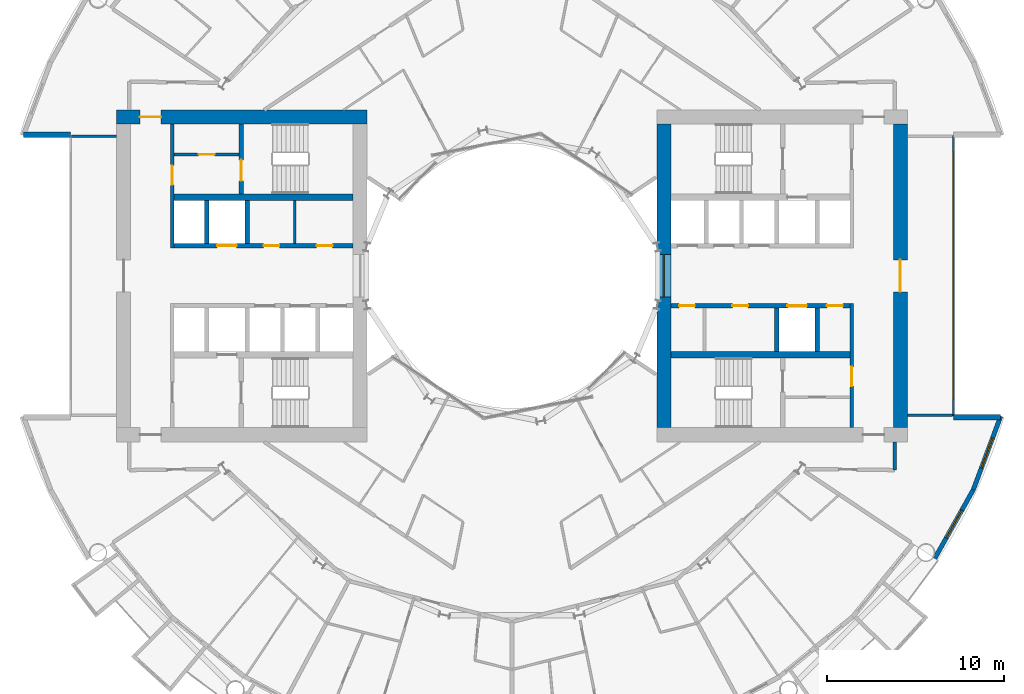
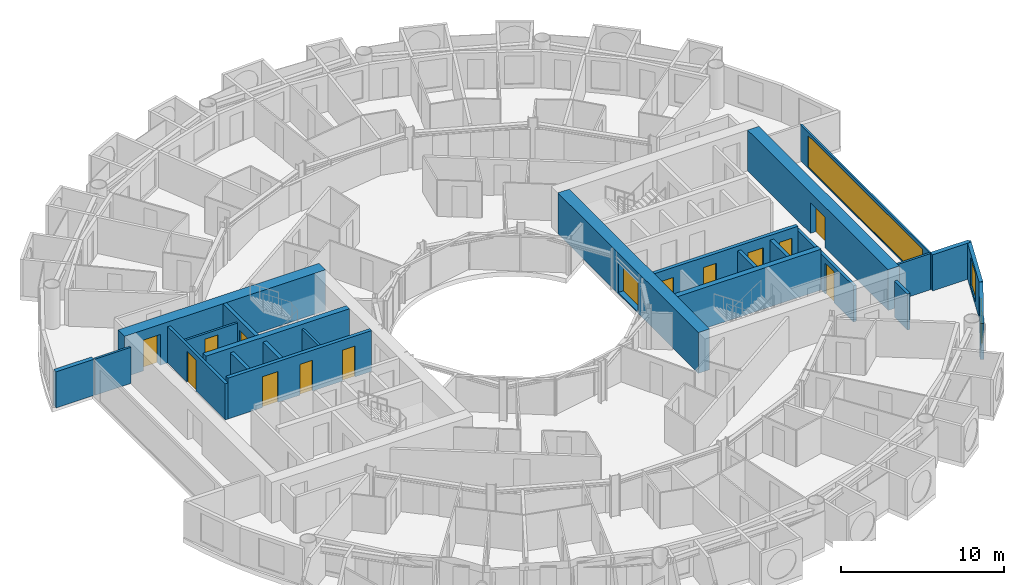
# One storey, part 17 of 26: 24 walls, 13 doors, 4 windows, 17 openings.
"""IFC4 building model written with IfcOpenShell, lengths in metres."""

from ifc_helpers import new_model, si_unit, direction, frame, frame_2d, origin, place, context, subcontext, project, spatial, rectangle, extrude, material, layer, layer_set, type_object, element, fill, save


model = new_model("IFC4")

# Units and contexts
model_context = context("Model", 3, precision=1e-05, world=origin(), true_north=direction((0.0, 1.0)))
body_context = subcontext(model_context, "Body", "Model", "MODEL_VIEW")
ifc_project = project(units=[si_unit("LENGTHUNIT", "METRE"), si_unit("AREAUNIT", "SQUARE_METRE"), si_unit("VOLUMEUNIT", "CUBIC_METRE"), si_unit("PLANEANGLEUNIT", "RADIAN"), si_unit("MASSUNIT", "GRAM", prefix="KILO")], contexts=[model_context])

# Site, building, storey
site_placement = place(None, origin())
site = spatial("IfcSite", under=ifc_project, at=site_placement, CompositionType="ELEMENT")
building_placement = place(site_placement, origin())
building = spatial("IfcBuilding", under=site, at=building_placement, Name="Maasbend Ring Residences", CompositionType="ELEMENT")
storey_placement = place(building_placement, frame((0.0, 0.0, 28.89990234375)))
storey = spatial("IfcBuildingStorey", under=building, at=storey_placement, Name="L07", CompositionType="ELEMENT", Elevation=28.89990234375)

# Wall, openings, doors
ifc_material_1 = material(Name="Concrete C70/85", Category="concrete")
ifc_layer_1 = layer(ifc_material_1, 0.25)
ifc_layer_set_1 = layer_set([ifc_layer_1], Name="Concrete C70/85")
wall_type_1 = type_object("IfcWallType", Name="CORE WALL 250 C70/85", PredefinedType="SHEAR", material=ifc_layer_set_1)
wall_1_placement = place(storey_placement, frame((19.14990234375, -1.699951171875, 0.0), z_axis=(0.0, 0.0, 1.0), x_axis=(-1.0, 0.0, 0.0)))
wall_1 = element("IfcWall", 1, at=wall_1_placement, inside=storey, type_object=wall_type_1, Name="L07 core E wall SPS", PredefinedType="SHEAR", context=body_context, shape_type="SweptSolid", body=[
    extrude(rectangle(XDim=10.14990234375, YDim=0.25, at=frame_2d((5.074951171875, 0.0))), origin(), (0.0, 0.0, 1.0), 3.050048828125),
])
opening_1_placement = place(wall_1_placement, frame((2.449951171875, 0.0, 0.0)))
opening_1 = element("IfcOpeningElement", 2, at=opening_1_placement, cuts=wall_1, Name="Opening LD-E0705", PredefinedType="OPENING", context=body_context, shape_type="SweptSolid", body=[
    extrude(rectangle(XDim=1.10009765625, YDim=2.300048828125, at=frame_2d((0.550048828125, 1.14990234375))), frame((0.0, 0.135009765625, 0.0), z_axis=(0.0, -1.0, 0.0), x_axis=(1.0, 0.0, 0.0)), (0.0, 0.0, 1.0), 0.27001953125),
])
opening_2_placement = place(wall_1_placement, frame((8.78759765625, 0.0, 0.0)))
opening_2 = element("IfcOpeningElement", 3, at=opening_2_placement, cuts=wall_1, Name="Opening D-E0706", PredefinedType="OPENING", context=body_context, shape_type="SweptSolid", body=[
    extrude(rectangle(XDim=0.89990234375, YDim=2.300048828125, at=frame_2d((0.449951171875, 1.14990234375))), frame((0.0, 0.135009765625, 0.0), z_axis=(0.0, -1.0, 0.0), x_axis=(1.0, 0.0, 0.0)), (0.0, 0.0, 1.0), 0.27001953125),
])
opening_3_placement = place(wall_1_placement, frame((5.77490234375, 0.0, 0.0)))
opening_3 = element("IfcOpeningElement", 4, at=opening_3_placement, cuts=wall_1, Name="Opening D-E0707", PredefinedType="OPENING", context=body_context, shape_type="SweptSolid", body=[
    extrude(rectangle(XDim=0.89990234375, YDim=2.300048828125, at=frame_2d((0.449951171875, 1.14990234375))), frame((0.0, 0.135009765625, 0.0), z_axis=(0.0, -1.0, 0.0), x_axis=(1.0, 0.0, 0.0)), (0.0, 0.0, 1.0), 0.27001953125),
])
opening_4_placement = place(wall_1_placement, frame((0.41259765625, 0.0, 0.0)))
opening_4 = element("IfcOpeningElement", 5, at=opening_4_placement, cuts=wall_1, Name="Opening D-E0708", PredefinedType="OPENING", context=body_context, shape_type="SweptSolid", body=[
    extrude(rectangle(XDim=0.89990234375, YDim=2.300048828125, at=frame_2d((0.449951171875, 1.14990234375))), frame((0.0, 0.135009765625, 0.0), z_axis=(0.0, -1.0, 0.0), x_axis=(1.0, 0.0, 0.0)), (0.0, 0.0, 1.0), 0.27001953125),
])
ifc_material_2 = material(Name="Stainless steel 316", Category="steel")
door_type_1 = type_object("IfcDoorType", Name="LANDING DOOR 1100 X 2300 FD60", OperationType="DOUBLE_DOOR_SLIDING", PredefinedType="DOOR", material=ifc_material_2)
door_1_placement = place(opening_1_placement, origin())
door_1 = element("IfcDoor", 6, at=door_1_placement, inside=storey, type_object=door_type_1, Name="Landing door SV-E L07", OperationType="DOUBLE_DOOR_SLIDING", OverallHeight=2.300048828125, OverallWidth=1.10009765625, PredefinedType="DOOR", context=body_context, shape_type="SweptSolid", body=[
    extrude(rectangle(XDim=1.10009765625, YDim=2.300048828125, at=frame_2d((0.550048828125, 1.14990234375))), frame((0.0, 0.02490234375, 0.0), z_axis=(0.0, -1.0, 0.0), x_axis=(1.0, 0.0, 0.0)), (0.0, 0.0, 1.0), 0.050048828125),
])
fill(opening_1, door_1)
ifc_material_3 = material(Name="Steel, powder coated", Category="steel")
door_type_2 = type_object("IfcDoorType", Name="ROOM DOOR 900 X 2300 FD30S", OperationType="NOTDEFINED", PredefinedType="DOOR", material=ifc_material_3)
door_2_placement = place(opening_2_placement, origin())
door_2 = element("IfcDoor", 7, at=door_2_placement, inside=storey, type_object=door_type_2, Name="Room door L07", OperationType="SINGLE_SWING_LEFT", OverallHeight=2.300048828125, OverallWidth=0.89990234375, PredefinedType="DOOR", context=body_context, shape_type="SweptSolid", body=[
    extrude(rectangle(XDim=0.89990234375, YDim=2.300048828125, at=frame_2d((0.449951171875, 1.14990234375))), frame((0.0, 0.02490234375, 0.0), z_axis=(0.0, -1.0, 0.0), x_axis=(1.0, 0.0, 0.0)), (0.0, 0.0, 1.0), 0.050048828125),
])
fill(opening_2, door_2)
door_3_placement = place(opening_3_placement, origin())
door_3 = element("IfcDoor", 8, at=door_3_placement, inside=storey, type_object=door_type_2, Name="Room door L07", OperationType="SINGLE_SWING_LEFT", OverallHeight=2.300048828125, OverallWidth=0.89990234375, PredefinedType="DOOR", context=body_context, shape_type="SweptSolid", body=[
    extrude(rectangle(XDim=0.89990234375, YDim=2.300048828125, at=frame_2d((0.449951171875, 1.14990234375))), frame((0.0, 0.02490234375, 0.0), z_axis=(0.0, -1.0, 0.0), x_axis=(1.0, 0.0, 0.0)), (0.0, 0.0, 1.0), 0.050048828125),
])
fill(opening_3, door_3)
door_4_placement = place(opening_4_placement, origin())
door_4 = element("IfcDoor", 9, at=door_4_placement, inside=storey, type_object=door_type_2, Name="Room door L07", OperationType="SINGLE_SWING_RIGHT", OverallHeight=2.300048828125, OverallWidth=0.89990234375, PredefinedType="DOOR", context=body_context, shape_type="SweptSolid", body=[
    extrude(rectangle(XDim=0.89990234375, YDim=2.300048828125, at=frame_2d((0.449951171875, 1.14990234375))), frame((0.0, 0.02490234375, 0.0), z_axis=(0.0, -1.0, 0.0), x_axis=(1.0, 0.0, 0.0)), (0.0, 0.0, 1.0), 0.050048828125),
])
fill(opening_4, door_4)

wall_2_placement = place(storey_placement, frame((-19.14990234375, 1.699951171875, 0.0), z_axis=(0.0, 0.0, 1.0), x_axis=(1.0, 0.0, 0.0)))
wall_2 = element("IfcWall", 10, at=wall_2_placement, inside=storey, type_object=wall_type_1, Name="L07 core W wall SPS", PredefinedType="SHEAR", context=body_context, shape_type="SweptSolid", body=[
    extrude(rectangle(XDim=10.14990234375, YDim=0.25, at=frame_2d((5.074951171875, 0.0))), origin(), (0.0, 0.0, 1.0), 3.050048828125),
])
opening_5_placement = place(wall_2_placement, frame((2.449951171875, 0.0, 0.0)))
opening_5 = element("IfcOpeningElement", 11, at=opening_5_placement, cuts=wall_2, Name="Opening LD-W0705", PredefinedType="OPENING", context=body_context, shape_type="SweptSolid", body=[
    extrude(rectangle(XDim=1.10009765625, YDim=2.300048828125, at=frame_2d((0.550048828125, 1.14990234375))), frame((0.0, 0.135009765625, 0.0), z_axis=(0.0, -1.0, 0.0), x_axis=(1.0, 0.0, 0.0)), (0.0, 0.0, 1.0), 0.27001953125),
])
opening_6_placement = place(wall_2_placement, frame((8.08740234375, 0.0, 0.0)))
opening_6 = element("IfcOpeningElement", 12, at=opening_6_placement, cuts=wall_2, Name="Opening D-W0706", PredefinedType="OPENING", context=body_context, shape_type="SweptSolid", body=[
    extrude(rectangle(XDim=0.89990234375, YDim=2.300048828125, at=frame_2d((0.449951171875, 1.14990234375))), frame((0.0, 0.135009765625, 0.0), z_axis=(0.0, -1.0, 0.0), x_axis=(1.0, 0.0, 0.0)), (0.0, 0.0, 1.0), 0.27001953125),
])
opening_7_placement = place(wall_2_placement, frame((5.074951171875, 0.0, 0.0)))
opening_7 = element("IfcOpeningElement", 13, at=opening_7_placement, cuts=wall_2, Name="Opening D-W0707", PredefinedType="OPENING", context=body_context, shape_type="SweptSolid", body=[
    extrude(rectangle(XDim=0.89990234375, YDim=2.300048828125, at=frame_2d((0.449951171875, 1.14990234375))), frame((0.0, 0.135009765625, 0.0), z_axis=(0.0, -1.0, 0.0), x_axis=(1.0, 0.0, 0.0)), (0.0, 0.0, 1.0), 0.27001953125),
])
door_5_placement = place(opening_5_placement, origin())
door_5 = element("IfcDoor", 14, at=door_5_placement, inside=storey, type_object=door_type_1, Name="Landing door SV-W L07", OperationType="DOUBLE_DOOR_SLIDING", OverallHeight=2.300048828125, OverallWidth=1.10009765625, PredefinedType="DOOR", context=body_context, shape_type="SweptSolid", body=[
    extrude(rectangle(XDim=1.10009765625, YDim=2.300048828125, at=frame_2d((0.550048828125, 1.14990234375))), frame((0.0, 0.02490234375, 0.0), z_axis=(0.0, -1.0, 0.0), x_axis=(1.0, 0.0, 0.0)), (0.0, 0.0, 1.0), 0.050048828125),
])
fill(opening_5, door_5)
door_6_placement = place(opening_6_placement, origin())
door_6 = element("IfcDoor", 15, at=door_6_placement, inside=storey, type_object=door_type_2, Name="Room door L07", OperationType="SINGLE_SWING_LEFT", OverallHeight=2.300048828125, OverallWidth=0.89990234375, PredefinedType="DOOR", context=body_context, shape_type="SweptSolid", body=[
    extrude(rectangle(XDim=0.89990234375, YDim=2.300048828125, at=frame_2d((0.449951171875, 1.14990234375))), frame((0.0, 0.02490234375, 0.0), z_axis=(0.0, -1.0, 0.0), x_axis=(1.0, 0.0, 0.0)), (0.0, 0.0, 1.0), 0.050048828125),
])
fill(opening_6, door_6)
door_7_placement = place(opening_7_placement, origin())
door_7 = element("IfcDoor", 16, at=door_7_placement, inside=storey, type_object=door_type_2, Name="Room door L07", OperationType="SINGLE_SWING_LEFT", OverallHeight=2.300048828125, OverallWidth=0.89990234375, PredefinedType="DOOR", context=body_context, shape_type="SweptSolid", body=[
    extrude(rectangle(XDim=0.89990234375, YDim=2.300048828125, at=frame_2d((0.449951171875, 1.14990234375))), frame((0.0, 0.02490234375, 0.0), z_axis=(0.0, -1.0, 0.0), x_axis=(1.0, 0.0, 0.0)), (0.0, 0.0, 1.0), 0.050048828125),
])
fill(opening_7, door_7)

# Wall, opening, door
wall_3_placement = place(storey_placement, frame((-15.324951171875, 8.60009765625, 0.0), z_axis=(0.0, 0.0, 1.0), x_axis=(0.0, -1.0, 0.0)))
wall_3 = element("IfcWall", 17, at=wall_3_placement, inside=storey, type_object=wall_type_1, Name="L07 core W wall STES", PredefinedType="SHEAR", context=body_context, shape_type="SweptSolid", body=[
    extrude(rectangle(XDim=3.9501953125, YDim=0.25, at=frame_2d((1.97509765625, 0.0))), origin(), (0.0, 0.0, 1.0), 3.050048828125),
])
opening_8_placement = place(wall_3_placement, frame((2.02490234375, 0.0, 0.0)))
opening_8 = element("IfcOpeningElement", 18, at=opening_8_placement, cuts=wall_3, Name="Opening D-W0710", PredefinedType="OPENING", context=body_context, shape_type="SweptSolid", body=[
    extrude(rectangle(XDim=1.199951171875, YDim=2.300048828125, at=frame_2d((0.60009765625, 1.14990234375))), frame((0.0, 0.135009765625, 0.0), z_axis=(0.0, -1.0, 0.0), x_axis=(1.0, 0.0, 0.0)), (0.0, 0.0, 1.0), 0.27001953125),
])
ifc_material_4 = material(Name="Steel, powder coated", Category="steel")
door_type_3 = type_object("IfcDoorType", Name="STAIR DOOR 1200 X 2300 FD60", OperationType="NOTDEFINED", PredefinedType="DOOR", material=ifc_material_4)
door_8_placement = place(opening_8_placement, origin())
door_8 = element("IfcDoor", 19, at=door_8_placement, inside=storey, type_object=door_type_3, Name="Stair door ST-W L07", OperationType="SINGLE_SWING_LEFT", OverallHeight=2.300048828125, OverallWidth=1.199951171875, PredefinedType="DOOR", context=body_context, shape_type="SweptSolid", body=[
    extrude(rectangle(XDim=1.199951171875, YDim=2.300048828125, at=frame_2d((0.60009765625, 1.14990234375))), frame((0.0, 0.02490234375, 0.0), z_axis=(0.0, -1.0, 0.0), x_axis=(1.0, 0.0, 0.0)), (0.0, 0.0, 1.0), 0.050048828125),
])
fill(opening_8, door_8)

# Walls
ifc_material_5 = material(Name="Concrete C70/85", Category="concrete")
ifc_layer_2 = layer(ifc_material_5, 0.375)
ifc_layer_set_2 = layer_set([ifc_layer_2], Name="Concrete C70/85")
wall_type_2 = type_object("IfcWallType", Name="CORE WALL 375 C70/85", PredefinedType="SHEAR", material=ifc_layer_set_2)
for number, where, z_axis, x_axis, name in (
    (20, (9.0, -4.46240234375, 0.0), (0.0, 0.0, 1.0), (1.0, 0.0, 0.0), "L07 core E wall BS"),
    (21, (-9.0, 4.46240234375, 0.0), (0.0, 0.0, 1.0), (-1.0, 0.0, 0.0), "L07 core W wall BS"),
):
    element("IfcWall", number, at=place(storey_placement, frame(where, z_axis=z_axis, x_axis=x_axis)), inside=storey, type_object=wall_type_2, Name=name, PredefinedType="SHEAR", context=body_context, shape_type="SweptSolid", body=[
        extrude(rectangle(XDim=10.14990234375, YDim=0.375, at=frame_2d((5.074951171875, 0.0))), origin(), (0.0, 0.0, 1.0), 3.050048828125),
    ])

# Wall, opening, door
ifc_material_6 = material(Name="Concrete C70/85", Category="concrete")
ifc_layer_3 = layer(ifc_material_6, 0.800048828125)
ifc_layer_set_3 = layer_set([ifc_layer_3], Name="Concrete C70/85")
wall_type_3 = type_object("IfcWallType", Name="CORE WALL 800 C70/85", PredefinedType="SHEAR", material=ifc_layer_set_3)
wall_4_placement = place(storey_placement, frame((22.0, 8.60009765625, 0.0), z_axis=(0.0, 0.0, 1.0), x_axis=(0.0, -1.0, 0.0)))
wall_4 = element("IfcWall", 22, at=wall_4_placement, inside=storey, type_object=wall_type_3, Name="L07 core E wall POUT", PredefinedType="SHEAR", context=body_context, shape_type="SweptSolid", body=[
    extrude(rectangle(XDim=17.2001953125, YDim=0.800048828125, at=frame_2d((8.60009765625, 0.0))), origin(), (0.0, 0.0, 1.0), 3.050048828125),
])
opening_9_placement = place(wall_4_placement, frame((7.699951171875, 0.0, 0.0)))
opening_9 = element("IfcOpeningElement", 23, at=opening_9_placement, cuts=wall_4, Name="Opening D-E0716", PredefinedType="OPENING", context=body_context, shape_type="SweptSolid", body=[
    extrude(rectangle(XDim=1.800048828125, YDim=2.300048828125, at=frame_2d((0.89990234375, 1.14990234375))), frame((0.0, 0.41015625, 0.0), z_axis=(0.0, -1.0, 0.0), x_axis=(1.0, 0.0, 0.0)), (0.0, 0.0, 1.0), 0.820068359375),
])
ifc_material_7 = material(Name="Aluminium frame, clear glass", Category="aluminium")
door_type_4 = type_object("IfcDoorType", Name="ENTRANCE DOOR 1800 X 2300 FD60", OperationType="NOTDEFINED", PredefinedType="DOOR", material=ifc_material_7)
door_9_placement = place(opening_9_placement, origin())
door_9 = element("IfcDoor", 24, at=door_9_placement, inside=storey, type_object=door_type_4, Name="Lobby glazed door L07", OperationType="SINGLE_SWING_LEFT", OverallHeight=2.300048828125, OverallWidth=1.800048828125, PredefinedType="DOOR", context=body_context, shape_type="SweptSolid", body=[
    extrude(rectangle(XDim=1.800048828125, YDim=2.300048828125, at=frame_2d((0.89990234375, 1.14990234375))), frame((0.0, 0.02490234375, 0.0), z_axis=(0.0, -1.0, 0.0), x_axis=(1.0, 0.0, 0.0)), (0.0, 0.0, 1.0), 0.050048828125),
])
fill(opening_9, door_9)

# Wall, opening, window
wall_5_placement = place(storey_placement, frame((8.60009765625, -8.60009765625, 0.0), z_axis=(0.0, 0.0, 1.0), x_axis=(0.0, 1.0, 0.0)))
wall_5 = element("IfcWall", 25, at=wall_5_placement, inside=storey, type_object=wall_type_3, Name="L07 core E wall PIN", PredefinedType="SHEAR", context=body_context, shape_type="SweptSolid", body=[
    extrude(rectangle(XDim=17.2001953125, YDim=0.800048828125, at=frame_2d((8.60009765625, 0.0))), origin(), (0.0, 0.0, 1.0), 3.050048828125),
])
opening_10_placement = place(wall_5_placement, frame((7.39990234375, 0.0, 0.10009765625)))
opening_10 = element("IfcOpeningElement", 26, at=opening_10_placement, cuts=wall_5, Name="Opening W-E0701", PredefinedType="OPENING", context=body_context, shape_type="SweptSolid", body=[
    extrude(rectangle(XDim=2.39990234375, YDim=2.199951171875, at=frame_2d((1.199951171875, 1.10009765625))), frame((0.0, 0.41015625, 0.0), z_axis=(0.0, -1.0, 0.0), x_axis=(1.0, 0.0, 0.0)), (0.0, 0.0, 1.0), 0.820068359375),
])
ifc_material_8 = material(Name="Aluminium frame and clear glass", Category="aluminium")
window_type_1 = type_object("IfcWindowType", Name="FIXED WINDOW 2400 X 2200", PartitioningType="SINGLE_PANEL", PredefinedType="WINDOW", material=ifc_material_8)
window_1_placement = place(opening_10_placement, origin())
window_1 = element("IfcWindow", 27, at=window_1_placement, inside=storey, type_object=window_type_1, Name="Lobby window L07", OverallHeight=2.199951171875, OverallWidth=2.39990234375, PartitioningType="SINGLE_PANEL", PredefinedType="WINDOW", context=body_context, shape_type="SweptSolid", body=[
    extrude(rectangle(XDim=2.39990234375, YDim=2.199951171875, at=frame_2d((1.199951171875, 1.10009765625))), frame((0.0, 0.030029296875, 0.0), z_axis=(0.0, -1.0, 0.0), x_axis=(1.0, 0.0, 0.0)), (0.0, 0.0, 1.0), 0.06005859375),
])
fill(opening_10, window_1)

# Wall, opening, door
wall_6_placement = place(storey_placement, frame((-8.199951171875, 9.0, 0.0), z_axis=(0.0, 0.0, 1.0), x_axis=(-1.0, 0.0, 0.0)))
wall_6 = element("IfcWall", 28, at=wall_6_placement, inside=storey, type_object=wall_type_3, Name="L07 core W wall PS", PredefinedType="SHEAR", context=body_context, shape_type="SweptSolid", body=[
    extrude(rectangle(XDim=14.199951171875, YDim=0.800048828125, at=frame_2d((7.10009765625, 0.0))), origin(), (0.0, 0.0, 1.0), 3.050048828125),
])
opening_11_placement = place(wall_6_placement, frame((11.675048828125, 0.0, 0.0)))
opening_11 = element("IfcOpeningElement", 29, at=opening_11_placement, cuts=wall_6, Name="Opening D-W0714", PredefinedType="OPENING", context=body_context, shape_type="SweptSolid", body=[
    extrude(rectangle(XDim=1.199951171875, YDim=2.300048828125, at=frame_2d((0.60009765625, 1.14990234375))), frame((0.0, 0.41015625, 0.0), z_axis=(0.0, -1.0, 0.0), x_axis=(1.0, 0.0, 0.0)), (0.0, 0.0, 1.0), 0.820068359375),
])
ifc_material_9 = material(Name="Steel, powder coated", Category="steel")
door_type_5 = type_object("IfcDoorType", Name="CORRIDOR DOOR 1200 X 2300 FD30S", OperationType="NOTDEFINED", PredefinedType="DOOR", material=ifc_material_9)
door_10_placement = place(opening_11_placement, origin())
door_10 = element("IfcDoor", 30, at=door_10_placement, inside=storey, type_object=door_type_5, Name="Corridor door L07", OperationType="SINGLE_SWING_LEFT", OverallHeight=2.300048828125, OverallWidth=1.199951171875, PredefinedType="DOOR", context=body_context, shape_type="SweptSolid", body=[
    extrude(rectangle(XDim=1.199951171875, YDim=2.300048828125, at=frame_2d((0.60009765625, 1.14990234375))), frame((0.0, 0.02490234375, 0.0), z_axis=(0.0, -1.0, 0.0), x_axis=(1.0, 0.0, 0.0)), (0.0, 0.0, 1.0), 0.050048828125),
])
fill(opening_11, door_10)

# Wall
ifc_material_10 = material(Name="Concrete C30/37", Category="concrete")
ifc_layer_4 = layer(ifc_material_10, 0.199951171875)
ifc_layer_set_4 = layer_set([ifc_layer_4], Name="Concrete C30/37")
wall_type_4 = type_object("IfcWallType", Name="CORRIDOR WALL 200 CONCRETE", PredefinedType="PARTITIONING", material=ifc_layer_set_4)
wall_7_placement = place(storey_placement, frame((21.675048828125, -11.0, 0.0), z_axis=(0.0, 0.0, 1.0), x_axis=(0.0, 1.0, 0.0)))
element("IfcWall", 31, at=wall_7_placement, inside=storey, type_object=wall_type_4, Name="U-L07-w001", PredefinedType="PARTITIONING", context=body_context, shape_type="SweptSolid", body=[
    extrude(rectangle(XDim=1.60009765625, YDim=0.199951171875, at=frame_2d((0.800048828125, 0.0))), origin(), (0.0, 0.0, 1.0), 2.7001953125),
])

# Wall, opening, window
ifc_material_11 = material(Name="Aluminium clad insulated panel", Category="aluminium")
ifc_layer_5 = layer(ifc_material_11, 0.25)
ifc_layer_set_5 = layer_set([ifc_layer_5], Name="EW-HORN")
wall_type_5 = type_object("IfcWallType", Name="EW-HORN", PredefinedType="SOLIDWALL", material=ifc_layer_set_5)
wall_8_placement = place(storey_placement, frame((23.946044921875, -16.0, 0.0), z_axis=(0.0, 0.0, 1.0), x_axis=(0.489696356642, 0.871893042919, 0.0)))
wall_8 = element("IfcWall", 32, at=wall_8_placement, inside=storey, type_object=wall_type_5, Name="Horn wall 2.1", PredefinedType="SOLIDWALL", context=body_context, shape_type="SweptSolid", body=[
    extrude(rectangle(XDim=4.45361328125, YDim=0.25, at=frame_2d((2.226806640625, 0.0))), origin(), (0.0, 0.0, 1.0), 2.7001953125),
])
opening_12_placement = place(wall_8_placement, frame((1.32666015625, 0.0, 0.300048828125)))
opening_12 = element("IfcOpeningElement", 33, at=opening_12_placement, cuts=wall_8, Name="Opening W-BX", PredefinedType="OPENING", context=body_context, shape_type="SweptSolid", body=[
    extrude(rectangle(XDim=1.800048828125, YDim=2.10009765625, at=frame_2d((0.89990234375, 1.050048828125))), frame((0.0, 0.135009765625, 0.0), z_axis=(0.0, -1.0, 0.0), x_axis=(1.0, 0.0, 0.0)), (0.0, 0.0, 1.0), 0.27001953125),
])
ifc_material_12 = material(Name="Aluminium and clear glass", Category="aluminium")
window_type_2 = type_object("IfcWindowType", Name="W-BX", PartitioningType="DOUBLE_PANEL_VERTICAL", PredefinedType="WINDOW", material=ifc_material_12)
window_2_placement = place(opening_12_placement, origin())
window_2 = element("IfcWindow", 34, at=window_2_placement, inside=storey, type_object=window_type_2, Name="Horn window 2.1", OverallHeight=2.10009765625, OverallWidth=1.800048828125, PartitioningType="SINGLE_PANEL", PredefinedType="WINDOW", context=body_context, shape_type="SweptSolid", body=[
    extrude(rectangle(XDim=1.800048828125, YDim=2.10009765625, at=frame_2d((0.89990234375, 1.050048828125))), frame((0.0, 0.030029296875, 0.0), z_axis=(0.0, -1.0, 0.0), x_axis=(1.0, 0.0, 0.0)), (0.0, 0.0, 1.0), 0.06005859375),
])
fill(opening_12, window_2)

wall_9_placement = place(storey_placement, frame((26.126953125, -12.116943359375, 0.0), z_axis=(0.0, 0.0, 1.0), x_axis=(0.349247811493, 0.937030397675, 0.0)))
wall_9 = element("IfcWall", 35, at=wall_9_placement, inside=storey, type_object=wall_type_5, Name="Horn wall 2.2", PredefinedType="SOLIDWALL", context=body_context, shape_type="SweptSolid", body=[
    extrude(rectangle(XDim=4.4521484375, YDim=0.25, at=frame_2d((2.22607421875, 0.0))), origin(), (0.0, 0.0, 1.0), 2.7001953125),
])
opening_13_placement = place(wall_9_placement, frame((1.32666015625, 0.0, 0.300048828125)))
opening_13 = element("IfcOpeningElement", 36, at=opening_13_placement, cuts=wall_9, Name="Opening W-BX", PredefinedType="OPENING", context=body_context, shape_type="SweptSolid", body=[
    extrude(rectangle(XDim=1.800048828125, YDim=2.10009765625, at=frame_2d((0.89990234375, 1.050048828125))), frame((0.0, 0.135009765625, 0.0), z_axis=(0.0, -1.0, 0.0), x_axis=(1.0, 0.0, 0.0)), (0.0, 0.0, 1.0), 0.27001953125),
])
window_3_placement = place(opening_13_placement, origin())
window_3 = element("IfcWindow", 37, at=window_3_placement, inside=storey, type_object=window_type_2, Name="Horn window 2.2", OverallHeight=2.10009765625, OverallWidth=1.800048828125, PartitioningType="SINGLE_PANEL", PredefinedType="WINDOW", context=body_context, shape_type="SweptSolid", body=[
    extrude(rectangle(XDim=1.800048828125, YDim=2.10009765625, at=frame_2d((0.89990234375, 1.050048828125))), frame((0.0, 0.030029296875, 0.0), z_axis=(0.0, -1.0, 0.0), x_axis=(1.0, 0.0, 0.0)), (0.0, 0.0, 1.0), 0.06005859375),
])
fill(opening_13, window_3)

# Walls
ifc_material_13 = material(Name="Aluminium clad insulated panel", Category="aluminium")
ifc_layer_6 = layer(ifc_material_13, 0.300048828125)
ifc_layer_set_6 = layer_set([ifc_layer_6], Name="EW-RET")
wall_type_6 = type_object("IfcWallType", Name="EW-RET", PredefinedType="SOLIDWALL", material=ifc_layer_set_6)
for number, where, z_axis, x_axis, name in (
    (38, (25.0, -8.0, 0.0), (0.0, 0.0, 1.0), (1.0, 0.0, 0.0), "Notch return wall east south"),
    (39, (-25.0, 8.0, 0.0), (0.0, 0.0, 1.0), (-1.0, 0.0, 0.0), "Notch return wall west north"),
):
    element("IfcWall", number, at=place(storey_placement, frame(where, z_axis=z_axis, x_axis=x_axis)), inside=storey, type_object=wall_type_6, Name=name, PredefinedType="SOLIDWALL", context=body_context, shape_type="SweptSolid", body=[
        extrude(rectangle(XDim=2.6669921875, YDim=0.300048828125, at=frame_2d((1.33349609375, 0.0))), origin(), (0.0, 0.0, 1.0), 2.7001953125),
    ])

# Wall, opening, window
ifc_material_14 = material(Name="Aluminium frame and clear glass", Category="aluminium")
ifc_layer_7 = layer(ifc_material_14, 0.1201171875)
ifc_layer_set_7 = layer_set([ifc_layer_7], Name="GLAZED SCREEN WALL 120 EI 60")
wall_type_7 = type_object("IfcWallType", Name="GLAZED SCREEN WALL 120 EI 60", PredefinedType="PARTITIONING", material=ifc_layer_set_7)
wall_10_placement = place(storey_placement, frame((25.0, -7.949951171875, 0.0), z_axis=(0.0, 0.0, 1.0), x_axis=(0.0, 1.0, 0.0)))
wall_10 = element("IfcWall", 40, at=wall_10_placement, inside=storey, type_object=wall_type_7, Name="L07 core E wall FACE", PredefinedType="PARTITIONING", context=body_context, shape_type="SweptSolid", body=[
    extrude(rectangle(XDim=15.89990234375, YDim=0.1201171875, at=frame_2d((7.949951171875, 0.0))), origin(), (0.0, 0.0, 1.0), 2.7001953125),
])
opening_14_placement = place(wall_10_placement, frame((0.949951171875, 0.0, 0.10009765625)))
opening_14 = element("IfcOpeningElement", 41, at=opening_14_placement, cuts=wall_10, Name="Opening W-E0702", PredefinedType="OPENING", context=body_context, shape_type="SweptSolid", body=[
    extrude(rectangle(XDim=14.0, YDim=2.35009765625, at=frame_2d((7.0, 1.175048828125))), frame((0.0, 0.070068359375, 0.0), z_axis=(0.0, -1.0, 0.0), x_axis=(1.0, 0.0, 0.0)), (0.0, 0.0, 1.0), 0.14013671875),
])
ifc_material_15 = material(Name="Aluminium frame and clear glass", Category="aluminium")
window_type_3 = type_object("IfcWindowType", Name="FIXED WINDOW 14000 X 2350", PartitioningType="SINGLE_PANEL", PredefinedType="WINDOW", material=ifc_material_15)
window_4_placement = place(opening_14_placement, origin())
window_4 = element("IfcWindow", 42, at=window_4_placement, inside=storey, type_object=window_type_3, Name="Lobby window L07", OverallHeight=2.35009765625, OverallWidth=14.0, PartitioningType="SINGLE_PANEL", PredefinedType="WINDOW", context=body_context, shape_type="SweptSolid", body=[
    extrude(rectangle(XDim=14.0, YDim=2.35009765625, at=frame_2d((7.0, 1.175048828125))), frame((0.0, 0.030029296875, 0.0), z_axis=(0.0, -1.0, 0.0), x_axis=(1.0, 0.0, 0.0)), (0.0, 0.0, 1.0), 0.06005859375),
])
fill(opening_14, window_4)

# Walls
ifc_material_16 = material(Name="Gypsum board on steel studs", Category="steel")
ifc_layer_8 = layer(ifc_material_16, 0.14990234375)
ifc_layer_set_8 = layer_set([ifc_layer_8], Name="PARTITION 150 EI 60")
wall_type_8 = type_object("IfcWallType", Name="PARTITION 150 EI 60", PredefinedType="PARTITIONING", material=ifc_layer_set_8)
wall_11_placement = place(storey_placement, frame((22.39990234375, -7.89990234375, 0.0), z_axis=(0.0, 0.0, 1.0), x_axis=(1.0, 0.0, 0.0)))
element("IfcWall", 43, at=wall_11_placement, inside=storey, type_object=wall_type_8, Name="L07 core E wall CITS", PredefinedType="PARTITIONING", context=body_context, shape_type="SweptSolid", body=[
    extrude(rectangle(XDim=2.5400390625, YDim=0.14990234375, at=frame_2d((1.27001953125, 0.0))), origin(), (0.0, 0.0, 1.0), 2.7001953125),
])
wall_12_placement = place(storey_placement, frame((-12.300048828125, 1.824951171875, 0.0), z_axis=(0.0, 0.0, 1.0), x_axis=(0.0, 1.0, 0.0)))
element("IfcWall", 44, at=wall_12_placement, inside=storey, type_object=wall_type_8, Name="L07 core W wall PRS1230", PredefinedType="PARTITIONING", context=body_context, shape_type="SweptSolid", body=[
    extrude(rectangle(XDim=2.449951171875, YDim=0.14990234375, at=frame_2d((1.22509765625, 0.0))), origin(), (0.0, 0.0, 1.0), 2.7001953125),
])

# Wall, opening, door
wall_13_placement = place(storey_placement, frame((-15.449951171875, 6.875, 0.0), z_axis=(0.0, 0.0, 1.0), x_axis=(-1.0, 0.0, 0.0)))
wall_13 = element("IfcWall", 45, at=wall_13_placement, inside=storey, type_object=wall_type_8, Name="L07 core W wall RHS", PredefinedType="PARTITIONING", context=body_context, shape_type="SweptSolid", body=[
    extrude(rectangle(XDim=3.699951171875, YDim=0.14990234375, at=frame_2d((1.85009765625, 0.0))), origin(), (0.0, 0.0, 1.0), 2.7001953125),
])
opening_15_placement = place(wall_13_placement, frame((1.39990234375, 0.0, 0.0)))
opening_15 = element("IfcOpeningElement", 46, at=opening_15_placement, cuts=wall_13, Name="Opening D-W0708", PredefinedType="OPENING", context=body_context, shape_type="SweptSolid", body=[
    extrude(rectangle(XDim=0.89990234375, YDim=2.300048828125, at=frame_2d((0.449951171875, 1.14990234375))), frame((0.0, 0.0849609375, 0.0), z_axis=(0.0, -1.0, 0.0), x_axis=(1.0, 0.0, 0.0)), (0.0, 0.0, 1.0), 0.169921875),
])
ifc_material_17 = material(Name="Steel, powder coated", Category="steel")
door_type_6 = type_object("IfcDoorType", Name="RISER DOOR 900 X 2300 FD60", OperationType="NOTDEFINED", PredefinedType="DOOR", material=ifc_material_17)
door_11_placement = place(opening_15_placement, origin())
door_11 = element("IfcDoor", 47, at=door_11_placement, inside=storey, type_object=door_type_6, Name="Riser door L07", OperationType="SINGLE_SWING_LEFT", OverallHeight=2.300048828125, OverallWidth=0.89990234375, PredefinedType="DOOR", context=body_context, shape_type="SweptSolid", body=[
    extrude(rectangle(XDim=0.89990234375, YDim=2.300048828125, at=frame_2d((0.449951171875, 1.14990234375))), frame((0.0, 0.02490234375, 0.0), z_axis=(0.0, -1.0, 0.0), x_axis=(1.0, 0.0, 0.0)), (0.0, 0.0, 1.0), 0.050048828125),
])
fill(opening_15, door_11)

# Wall
wall_14_placement = place(storey_placement, frame((-22.39990234375, 7.89990234375, 0.0), z_axis=(0.0, 0.0, 1.0), x_axis=(-1.0, 0.0, 0.0)))
element("IfcWall", 48, at=wall_14_placement, inside=storey, type_object=wall_type_8, Name="L07 core W wall CITS", PredefinedType="PARTITIONING", context=body_context, shape_type="SweptSolid", body=[
    extrude(rectangle(XDim=2.5400390625, YDim=0.14990234375, at=frame_2d((1.27001953125, 0.0))), origin(), (0.0, 0.0, 1.0), 2.7001953125),
])

# Wall, opening, door
ifc_material_18 = material(Name="Concrete C30/37", Category="concrete")
ifc_layer_9 = layer(ifc_material_18, 0.199951171875)
ifc_layer_set_9 = layer_set([ifc_layer_9], Name="Concrete C30/37")
wall_type_9 = type_object("IfcWallType", Name="SHAFT WALL 200 EI 120", PredefinedType="SOLIDWALL", material=ifc_layer_set_9)
wall_15_placement = place(storey_placement, frame((19.25, -8.60009765625, 0.0), z_axis=(0.0, 0.0, 1.0), x_axis=(0.0, 1.0, 0.0)))
wall_15 = element("IfcWall", 49, at=wall_15_placement, inside=storey, type_object=wall_type_9, Name="L07 core E wall ENDS", PredefinedType="SOLIDWALL", context=body_context, shape_type="SweptSolid", body=[
    extrude(rectangle(XDim=7.025146484375, YDim=0.199951171875, at=frame_2d((3.5126953125, 0.0))), origin(), (0.0, 0.0, 1.0), 2.7001953125),
])
opening_16_placement = place(wall_15_placement, frame((2.35009765625, 0.0, 0.0)))
opening_16 = element("IfcOpeningElement", 50, at=opening_16_placement, cuts=wall_15, Name="Opening D-E0713", PredefinedType="OPENING", context=body_context, shape_type="SweptSolid", body=[
    extrude(rectangle(XDim=1.10009765625, YDim=2.300048828125, at=frame_2d((0.550048828125, 1.14990234375))), frame((0.0, 0.10986328125, 0.0), z_axis=(0.0, -1.0, 0.0), x_axis=(1.0, 0.0, 0.0)), (0.0, 0.0, 1.0), 0.219970703125),
])
ifc_material_19 = material(Name="Steel, powder coated", Category="steel")
door_type_7 = type_object("IfcDoorType", Name="LOBBY DOOR 1100 X 2300 FD60", OperationType="NOTDEFINED", PredefinedType="DOOR", material=ifc_material_19)
door_12_placement = place(opening_16_placement, origin())
door_12 = element("IfcDoor", 51, at=door_12_placement, inside=storey, type_object=door_type_7, Name="Lobby door L07", OperationType="SINGLE_SWING_RIGHT", OverallHeight=2.300048828125, OverallWidth=1.10009765625, PredefinedType="DOOR", context=body_context, shape_type="SweptSolid", body=[
    extrude(rectangle(XDim=1.10009765625, YDim=2.300048828125, at=frame_2d((0.550048828125, 1.14990234375))), frame((0.0, 0.02490234375, 0.0), z_axis=(0.0, -1.0, 0.0), x_axis=(1.0, 0.0, 0.0)), (0.0, 0.0, 1.0), 0.050048828125),
])
fill(opening_16, door_12)

wall_16_placement = place(storey_placement, frame((-19.25, 8.60009765625, 0.0), z_axis=(0.0, 0.0, 1.0), x_axis=(0.0, -1.0, 0.0)))
wall_16 = element("IfcWall", 52, at=wall_16_placement, inside=storey, type_object=wall_type_9, Name="L07 core W wall ENDS", PredefinedType="SOLIDWALL", context=body_context, shape_type="SweptSolid", body=[
    extrude(rectangle(XDim=7.025146484375, YDim=0.199951171875, at=frame_2d((3.5126953125, 0.0))), origin(), (0.0, 0.0, 1.0), 2.7001953125),
])
opening_17_placement = place(wall_16_placement, frame((2.35009765625, 0.0, 0.0)))
opening_17 = element("IfcOpeningElement", 53, at=opening_17_placement, cuts=wall_16, Name="Opening D-W0712", PredefinedType="OPENING", context=body_context, shape_type="SweptSolid", body=[
    extrude(rectangle(XDim=1.10009765625, YDim=2.300048828125, at=frame_2d((0.550048828125, 1.14990234375))), frame((0.0, 0.10986328125, 0.0), z_axis=(0.0, -1.0, 0.0), x_axis=(1.0, 0.0, 0.0)), (0.0, 0.0, 1.0), 0.219970703125),
])
door_13_placement = place(opening_17_placement, origin())
door_13 = element("IfcDoor", 54, at=door_13_placement, inside=storey, type_object=door_type_7, Name="Lobby door L07", OperationType="SINGLE_SWING_RIGHT", OverallHeight=2.300048828125, OverallWidth=1.10009765625, PredefinedType="DOOR", context=body_context, shape_type="SweptSolid", body=[
    extrude(rectangle(XDim=1.10009765625, YDim=2.300048828125, at=frame_2d((0.550048828125, 1.14990234375))), frame((0.0, 0.02490234375, 0.0), z_axis=(0.0, -1.0, 0.0), x_axis=(1.0, 0.0, 0.0)), (0.0, 0.0, 1.0), 0.050048828125),
])
fill(opening_17, door_13)

# Walls
ifc_material_20 = material(Name="Concrete C30/37", Category="concrete")
ifc_layer_10 = layer(ifc_material_20, 0.25)
ifc_layer_set_10 = layer_set([ifc_layer_10], Name="Concrete C30/37")
wall_type_10 = type_object("IfcWallType", Name="SHAFT WALL 250 EI 120", PredefinedType="SOLIDWALL", material=ifc_layer_set_10)
for number, where, z_axis, x_axis, name in (
    (55, (15.0, -1.824951171875, 0.0), (0.0, 0.0, 1.0), (0.0, -1.0, 0.0), "L07 core E wall D150S"),
    (56, (17.300048828125, -1.824951171875, 0.0), (0.0, 0.0, 1.0), (0.0, -1.0, 0.0), "L07 core E wall D173S"),
    (57, (-15.0, 1.824951171875, 0.0), (0.0, 0.0, 1.0), (0.0, 1.0, 0.0), "L07 core W wall D150S"),
    (58, (-17.300048828125, 1.824951171875, 0.0), (0.0, 0.0, 1.0), (0.0, 1.0, 0.0), "L07 core W wall D173S"),
):
    element("IfcWall", number, at=place(storey_placement, frame(where, z_axis=z_axis, x_axis=x_axis)), inside=storey, type_object=wall_type_10, Name=name, PredefinedType="SOLIDWALL", context=body_context, shape_type="SweptSolid", body=[
        extrude(rectangle(XDim=2.449951171875, YDim=0.25, at=frame_2d((1.22509765625, 0.0))), origin(), (0.0, 0.0, 1.0), 2.7001953125),
    ])

save(model, "model.ifc")
